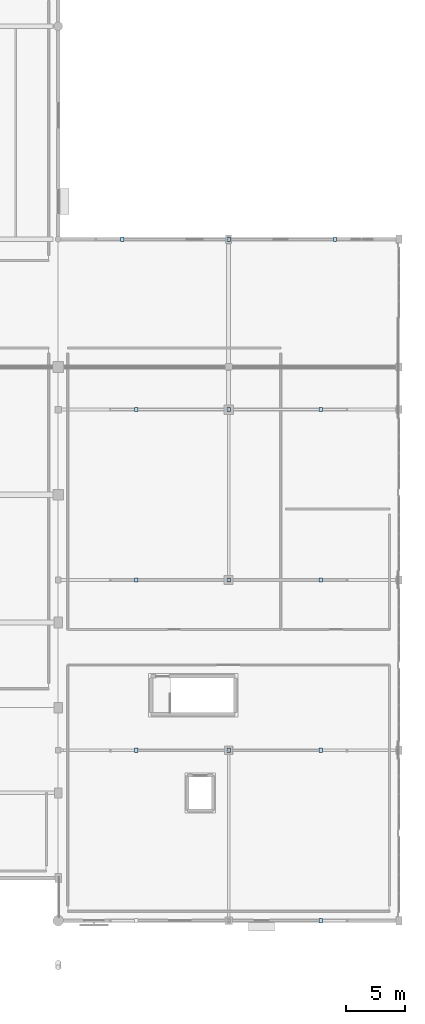
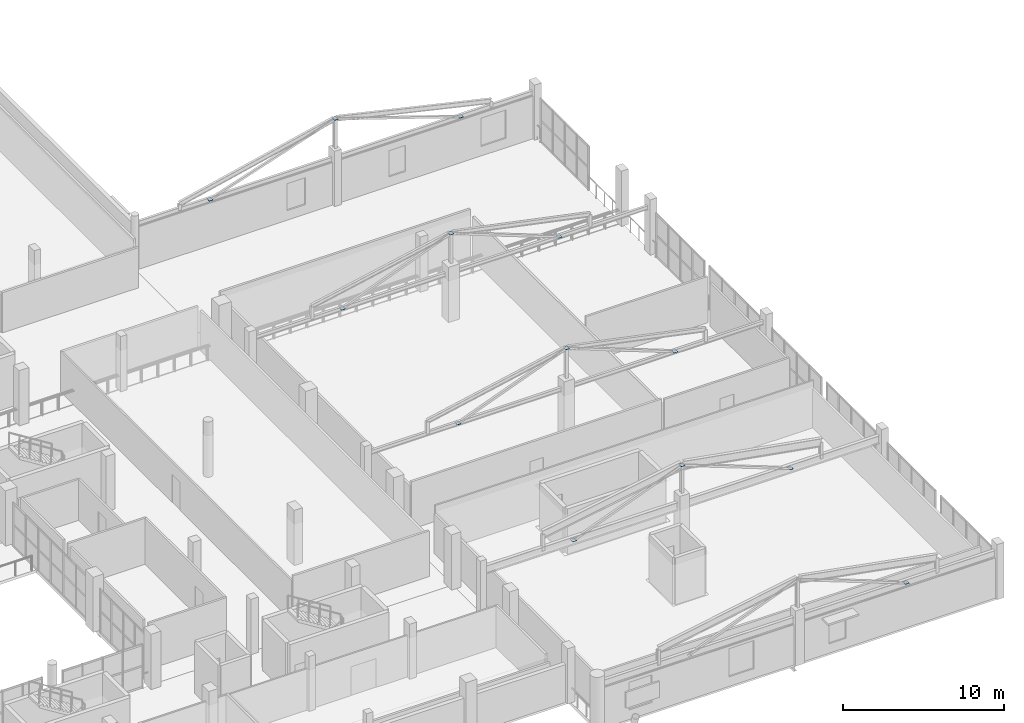
# One storey, part 60 of 92: 13 plates.
"""IFC4 building model written with IfcOpenShell, lengths in metres."""

from ifc_helpers import new_model, si_unit, direction, frame, origin, origin_2d, place, context, subcontext, project, spatial, rectangle, extrude, material, layer, layer_set, type_object, element, save


model = new_model("IFC4")

# Units and contexts
model_context = context("Model", 3, precision=1e-05, world=origin(), true_north=direction((0.0, 1.0)))
body_context = subcontext(model_context, "Body", "Model", "MODEL_VIEW")
ifc_project = project(units=[si_unit("LENGTHUNIT", "METRE"), si_unit("AREAUNIT", "SQUARE_METRE"), si_unit("VOLUMEUNIT", "CUBIC_METRE"), si_unit("PLANEANGLEUNIT", "RADIAN"), si_unit("MASSUNIT", "GRAM", prefix="KILO")], contexts=[model_context])

# Site, building, storey
site_placement = place(None, origin())
site = spatial("IfcSite", under=ifc_project, at=site_placement, CompositionType="ELEMENT")
building_placement = place(site_placement, origin())
building = spatial("IfcBuilding", under=site, at=building_placement, Name="Solanera Park Tramway Depot", CompositionType="ELEMENT")
storey_placement = place(building_placement, frame((0.0, 0.0, 4.800048828125)))
storey = spatial("IfcBuildingStorey", under=building, at=storey_placement, Name="L01", CompositionType="ELEMENT", Elevation=4.800048828125)

# Plates
ifc_material = material(Name="Steel AS/NZS 3679.1 Grade 350", Category="steel")
ifc_layer = layer(ifc_material, 0.01806640625)
ifc_layer_set = layer_set([ifc_layer], Name="Steel AS/NZS 3679.1 Grade 350")
plate_type = type_object("IfcPlateType", Name="Hollow End Cap and Base Plate 360x280x18", PredefinedType="USERDEFINED", material=ifc_layer_set)
for number, where, z_axis, x_axis, name in (
    (1, (209.39990234375, 7.199951171875, 3.329345703125), (0.0, 0.0, 1.0), (1.0, 0.0, 0.0), "Hip Truss Web Sealed Cap Plate #1178"),
    (2, (193.800048828125, 21.60009765625, 3.2900390625), (0.0, 0.0, 1.0), (1.0, 0.0, 0.0), "Hip Truss Web Sealed Cap Plate #1179"),
    (3, (201.60009765625, 21.60009765625, 6.2724609375), (0.0, 0.0, 1.0), (1.0, 0.0, 0.0), "Hip Truss Web Sealed Cap Plate #1180"),
    (4, (209.39990234375, 21.60009765625, 3.2900390625), (0.0, 0.0, 1.0), (1.0, 0.0, 0.0), "Hip Truss Web Sealed Cap Plate #1181"),
    (5, (193.800048828125, 36.0, 3.444091796875), (0.0, 0.0, 1.0), (1.0, 0.0, 0.0), "Hip Truss Web Sealed Cap Plate #1182"),
    (6, (201.60009765625, 36.0, 6.426513671875), (0.0, 0.0, 1.0), (1.0, 0.0, 0.0), "Hip Truss Web Sealed Cap Plate #1183"),
    (7, (209.39990234375, 36.0, 3.444091796875), (0.0, 0.0, 1.0), (1.0, 0.0, 0.0), "Hip Truss Web Sealed Cap Plate #1184"),
    (8, (193.800048828125, 50.39990234375, 3.4423828125), (0.0, 0.0, 1.0), (1.0, 0.0, 0.0), "Hip Truss Web Sealed Cap Plate #1185"),
    (9, (201.60009765625, 50.39990234375, 6.4248046875), (0.0, 0.0, 1.0), (1.0, 0.0, 0.0), "Hip Truss Web Sealed Cap Plate #1186"),
    (10, (209.39990234375, 50.39990234375, 3.4423828125), (0.0, 0.0, 1.0), (1.0, 0.0, 0.0), "Hip Truss Web Sealed Cap Plate #1187"),
    (11, (192.60009765625, 64.800048828125, 3.418212890625), (0.0, 0.0, 1.0), (1.0, 0.0, 0.0), "Hip Truss Web Sealed Cap Plate #1188"),
    (12, (201.60009765625, 64.800048828125, 6.400634765625), (0.0, 0.0, 1.0), (1.0, 0.0, 0.0), "Hip Truss Web Sealed Cap Plate #1189"),
    (13, (210.60009765625, 64.800048828125, 3.418212890625), (0.0, 0.0, 1.0), (1.0, 0.0, 0.0), "Hip Truss Web Sealed Cap Plate #1190"),
):
    element("IfcPlate", number, at=place(storey_placement, frame(where, z_axis=z_axis, x_axis=x_axis)), inside=storey, type_object=plate_type, Name=name, ObjectType="BASE PLATE", PredefinedType="USERDEFINED", context=body_context, shape_type="SweptSolid", body=[
        extrude(rectangle(XDim=0.280029296875, YDim=0.360107421875, at=origin_2d()), origin(), (0.0, 0.0, 1.0), 0.01806640625),
    ])

save(model, "model.ifc")
